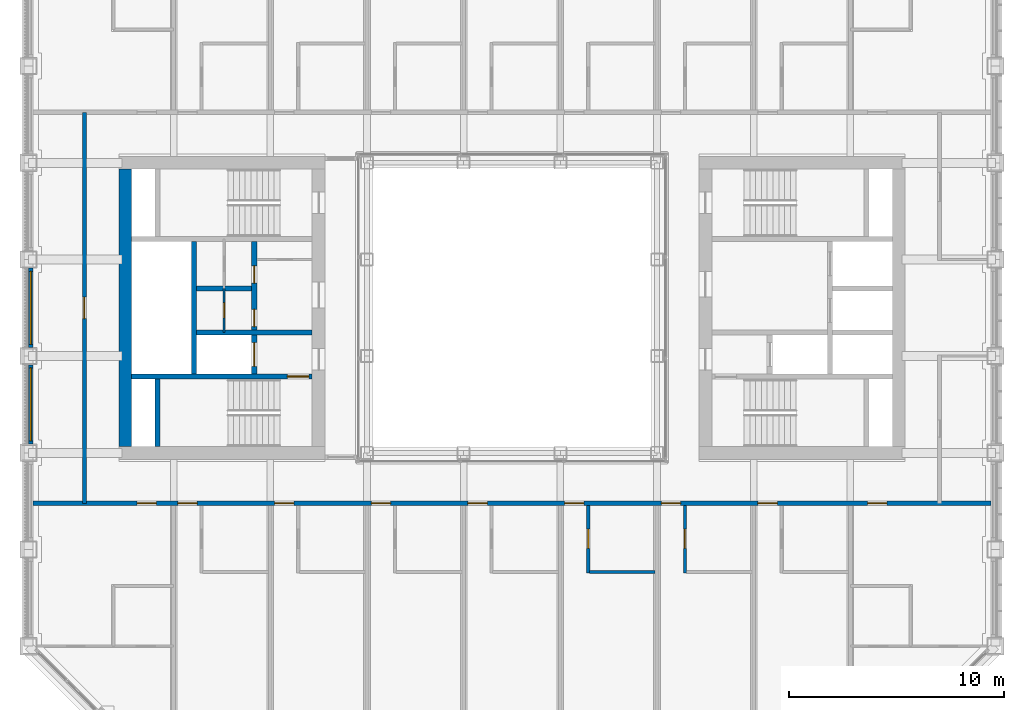
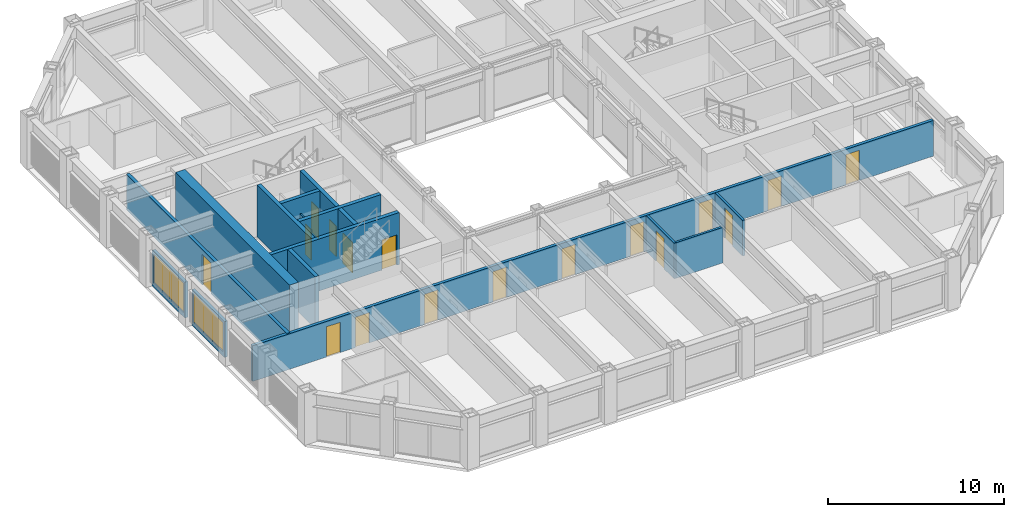
# One storey, part 11 of 18: 17 doors, 15 walls, 2 windows, 19 openings.
"""IFC4 building model written with IfcOpenShell, lengths in metres."""

from ifc_helpers import new_model, si_unit, direction, frame, frame_2d, origin, place, context, subcontext, project, spatial, rectangle, extrude, material, layer, layer_set, type_object, element, fill, save


model = new_model("IFC4")

# Units and contexts
model_context = context("Model", 3, precision=1e-05, world=origin(), true_north=direction((0.0, 1.0)))
body_context = subcontext(model_context, "Body", "Model", "MODEL_VIEW")
ifc_project = project(units=[si_unit("LENGTHUNIT", "METRE"), si_unit("AREAUNIT", "SQUARE_METRE"), si_unit("VOLUMEUNIT", "CUBIC_METRE"), si_unit("PLANEANGLEUNIT", "RADIAN"), si_unit("MASSUNIT", "GRAM", prefix="KILO")], contexts=[model_context])

# Site, building, storey
site_placement = place(None, origin())
site = spatial("IfcSite", under=ifc_project, at=site_placement, CompositionType="ELEMENT")
building_placement = place(site_placement, origin())
building = spatial("IfcBuilding", under=site, at=building_placement, Name="Msasa Ring Tower", CompositionType="ELEMENT")
storey_placement = place(building_placement, frame((0.0, 0.0, 125.60009765625)))
storey = spatial("IfcBuildingStorey", under=building, at=storey_placement, Name="L32", CompositionType="ELEMENT", Elevation=125.60009765625)

# Wall
ifc_material_1 = material(Name="Concrete C60/75", Category="concrete")
ifc_layer_1 = layer(ifc_material_1, 0.60009765625)
ifc_layer_set_1 = layer_set([ifc_layer_1], Name="CW2 CORE WALL 600")
wall_type_1 = type_object("IfcWallType", Name="CW2 CORE WALL 600", PredefinedType="SHEAR", material=ifc_layer_set_1)
wall_1_placement = place(storey_placement, frame((-18.0, -6.449951171875, 0.0), z_axis=(0.0, 0.0, 1.0), x_axis=(0.0, 1.0, 0.0)))
element("IfcWall", 1, at=wall_1_placement, inside=storey, type_object=wall_type_1, Name="W core wall E L32", PredefinedType="SHEAR", context=body_context, shape_type="SweptSolid", body=[
    extrude(rectangle(XDim=12.89990234375, YDim=0.60009765625, at=frame_2d((6.449951171875, 0.0))), origin(), (0.0, 0.0, 1.0), 3.599853515625),
])

# Wall, opening, door
ifc_material_2 = material(Name="Concrete C60/75", Category="concrete")
ifc_layer_2 = layer(ifc_material_2, 0.25)
ifc_layer_set_2 = layer_set([ifc_layer_2], Name="CW4 CORE INNER WALL 250")
wall_type_2 = type_object("IfcWallType", Name="CW4 CORE INNER WALL 250", PredefinedType="SHEAR", material=ifc_layer_set_2)
wall_2_placement = place(storey_placement, frame((-9.300048828125, -3.199951171875, 0.0), z_axis=(0.0, 0.0, 1.0), x_axis=(-1.0, 0.0, 0.0)))
wall_2 = element("IfcWall", 2, at=wall_2_placement, inside=storey, type_object=wall_type_2, Name="W core wall STAIRA L32", PredefinedType="SHEAR", context=body_context, shape_type="SweptSolid", body=[
    extrude(rectangle(XDim=8.39990234375, YDim=0.25, at=frame_2d((4.199951171875, 0.0))), origin(), (0.0, 0.0, 1.0), 3.599853515625),
])
opening_1_placement = place(wall_2_placement, frame((0.14990234375, 0.0, 0.0)))
opening_1 = element("IfcOpeningElement", 3, at=opening_1_placement, cuts=wall_2, Name="Opening HA-035", PredefinedType="OPENING", context=body_context, shape_type="SweptSolid", body=[
    extrude(rectangle(XDim=1.0, YDim=2.10009765625, at=frame_2d((0.5, 1.050048828125))), frame((0.0, 0.135009765625, 0.0), z_axis=(0.0, -1.0, 0.0), x_axis=(1.0, 0.0, 0.0)), (0.0, 0.0, 1.0), 0.27001953125),
])
ifc_material_3 = material(Name="Timber door leaf in a steel frame", Category="steel")
door_type_1 = type_object("IfcDoorType", Name="D6 STAIR DOOR 1000x2100", OperationType="SINGLE_SWING_LEFT", PredefinedType="DOOR", material=ifc_material_3)
door_1_placement = place(opening_1_placement, origin())
door_1 = element("IfcDoor", 4, at=door_1_placement, inside=storey, type_object=door_type_1, Name="Door L32-WSTA", OperationType="SINGLE_SWING_LEFT", OverallHeight=2.10009765625, OverallWidth=1.0, PredefinedType="DOOR", context=body_context, shape_type="SweptSolid", body=[
    extrude(rectangle(XDim=1.0, YDim=2.10009765625, at=frame_2d((0.5, 1.050048828125))), frame((0.0, 0.02490234375, 0.0), z_axis=(0.0, -1.0, 0.0), x_axis=(1.0, 0.0, 0.0)), (0.0, 0.0, 1.0), 0.050048828125),
])
fill(opening_1, door_1)

# Walls
wall_3_placement = place(storey_placement, frame((-16.5, -6.449951171875, 0.0), z_axis=(0.0, 0.0, 1.0), x_axis=(0.0, 1.0, 0.0)))
element("IfcWall", 5, at=wall_3_placement, inside=storey, type_object=wall_type_2, Name="W core wall RISERA L32", PredefinedType="SHEAR", context=body_context, shape_type="SweptSolid", body=[
    extrude(rectangle(XDim=3.125, YDim=0.25, at=frame_2d((1.5625, 0.0))), origin(), (0.0, 0.0, 1.0), 3.599853515625),
])
wall_4_placement = place(storey_placement, frame((-9.300048828125, -1.14990234375, 0.0), z_axis=(0.0, 0.0, 1.0), x_axis=(-1.0, 0.0, 0.0)))
element("IfcWall", 6, at=wall_4_placement, inside=storey, type_object=wall_type_2, Name="W core wall FFL L32", PredefinedType="SHEAR", context=body_context, shape_type="SweptSolid", body=[
    extrude(rectangle(XDim=5.375, YDim=0.25, at=frame_2d((2.6875, 0.0))), origin(), (0.0, 0.0, 1.0), 3.599853515625),
])

# Wall, openings, doors
wall_5_placement = place(storey_placement, frame((-12.0, -3.074951171875, 0.0), z_axis=(0.0, 0.0, 1.0), x_axis=(0.0, 1.0, 0.0)))
wall_5 = element("IfcWall", 7, at=wall_5_placement, inside=storey, type_object=wall_type_2, Name="W core wall LOBBY L32", PredefinedType="SHEAR", context=body_context, shape_type="SweptSolid", body=[
    extrude(rectangle(XDim=6.14990234375, YDim=0.25, at=frame_2d((3.074951171875, 0.0))), origin(), (0.0, 0.0, 1.0), 3.599853515625),
])
opening_2_placement = place(wall_5_placement, frame((2.199951171875, 0.0, 0.0)))
opening_2 = element("IfcOpeningElement", 8, at=opening_2_placement, cuts=wall_5, Name="Opening HA-032", PredefinedType="OPENING", context=body_context, shape_type="SweptSolid", body=[
    extrude(rectangle(XDim=0.800048828125, YDim=2.10009765625, at=frame_2d((0.39990234375, 1.050048828125))), frame((0.0, 0.135009765625, 0.0), z_axis=(0.0, -1.0, 0.0), x_axis=(1.0, 0.0, 0.0)), (0.0, 0.0, 1.0), 0.27001953125),
])
opening_3_placement = place(wall_5_placement, frame((4.22509765625, 0.0, 0.0)))
opening_3 = element("IfcOpeningElement", 9, at=opening_3_placement, cuts=wall_5, Name="Opening HA-027", PredefinedType="OPENING", context=body_context, shape_type="SweptSolid", body=[
    extrude(rectangle(XDim=0.800048828125, YDim=2.10009765625, at=frame_2d((0.39990234375, 1.050048828125))), frame((0.0, 0.135009765625, 0.0), z_axis=(0.0, -1.0, 0.0), x_axis=(1.0, 0.0, 0.0)), (0.0, 0.0, 1.0), 0.27001953125),
])
opening_4_placement = place(wall_5_placement, frame((0.35009765625, 0.0, 0.0)))
opening_4 = element("IfcOpeningElement", 10, at=opening_4_placement, cuts=wall_5, Name="Opening LD1", PredefinedType="OPENING", context=body_context, shape_type="SweptSolid", body=[
    extrude(rectangle(XDim=1.10009765625, YDim=2.10009765625, at=frame_2d((0.550048828125, 1.050048828125))), frame((0.0, 0.135009765625, 0.0), z_axis=(0.0, -1.0, 0.0), x_axis=(1.0, 0.0, 0.0)), (0.0, 0.0, 1.0), 0.27001953125),
])
ifc_material_4 = material(Name="Timber door leaf in a steel frame", Category="steel")
door_type_2 = type_object("IfcDoorType", Name="D9 NARROW SERVICE DOOR 800x2100", OperationType="SINGLE_SWING_LEFT", PredefinedType="DOOR", material=ifc_material_4)
door_2_placement = place(opening_2_placement, origin())
door_2 = element("IfcDoor", 11, at=door_2_placement, inside=storey, type_object=door_type_2, Name="Door L32-WR1", OperationType="SINGLE_SWING_LEFT", OverallHeight=2.10009765625, OverallWidth=0.800048828125, PredefinedType="DOOR", context=body_context, shape_type="SweptSolid", body=[
    extrude(rectangle(XDim=0.800048828125, YDim=2.10009765625, at=frame_2d((0.39990234375, 1.050048828125))), frame((0.0, 0.02490234375, 0.0), z_axis=(0.0, -1.0, 0.0), x_axis=(1.0, 0.0, 0.0)), (0.0, 0.0, 1.0), 0.050048828125),
])
fill(opening_2, door_2)
door_3_placement = place(opening_3_placement, origin())
door_3 = element("IfcDoor", 12, at=door_3_placement, inside=storey, type_object=door_type_2, Name="Door L32-WR2", OperationType="SINGLE_SWING_RIGHT", OverallHeight=2.10009765625, OverallWidth=0.800048828125, PredefinedType="DOOR", context=body_context, shape_type="SweptSolid", body=[
    extrude(rectangle(XDim=0.800048828125, YDim=2.10009765625, at=frame_2d((0.39990234375, 1.050048828125))), frame((0.0, 0.02490234375, 0.0), z_axis=(0.0, -1.0, 0.0), x_axis=(1.0, 0.0, 0.0)), (0.0, 0.0, 1.0), 0.050048828125),
])
fill(opening_3, door_3)
ifc_material_5 = material(Name="Stainless steel lift landing door", Category="steel")
door_type_3 = type_object("IfcDoorType", Name="LD1 LIFT LANDING DOOR 1100x2100", OperationType="DOUBLE_DOOR_SLIDING", PredefinedType="DOOR", material=ifc_material_5)
door_4_placement = place(opening_4_placement, origin())
door_4 = element("IfcDoor", 13, at=door_4_placement, inside=storey, type_object=door_type_3, Name="Lift landing door FL-W L32", OperationType="DOUBLE_DOOR_SLIDING", OverallHeight=2.10009765625, OverallWidth=1.10009765625, PredefinedType="DOOR", context=body_context, shape_type="SweptSolid", body=[
    extrude(rectangle(XDim=1.10009765625, YDim=2.10009765625, at=frame_2d((0.550048828125, 1.050048828125))), frame((0.0, 0.02490234375, 0.0), z_axis=(0.0, -1.0, 0.0), x_axis=(1.0, 0.0, 0.0)), (0.0, 0.0, 1.0), 0.050048828125),
])
fill(opening_4, door_4)

# Walls
wall_6_placement = place(storey_placement, frame((-14.800048828125, -3.074951171875, 0.0), z_axis=(0.0, 0.0, 1.0), x_axis=(0.0, 1.0, 0.0)))
element("IfcWall", 14, at=wall_6_placement, inside=storey, type_object=wall_type_2, Name="W core wall SHAFT L32", PredefinedType="SHEAR", context=body_context, shape_type="SweptSolid", body=[
    extrude(rectangle(XDim=6.14990234375, YDim=0.25, at=frame_2d((3.074951171875, 0.0))), origin(), (0.0, 0.0, 1.0), 3.599853515625),
])
wall_7_placement = place(storey_placement, frame((-12.125, 0.89990234375, 0.0), z_axis=(0.0, 0.0, 1.0), x_axis=(-1.0, 0.0, 0.0)))
element("IfcWall", 15, at=wall_7_placement, inside=storey, type_object=wall_type_2, Name="W core wall LIFT1 L32", PredefinedType="SHEAR", context=body_context, shape_type="SweptSolid", body=[
    extrude(rectangle(XDim=2.550048828125, YDim=0.25, at=frame_2d((1.27490234375, 0.0))), origin(), (0.0, 0.0, 1.0), 3.599853515625),
])

# Wall, opening, window
ifc_material_6 = material(Name="Terracotta rainscreen on blockwork", Category="masonry")
ifc_layer_3 = layer(ifc_material_6, 0.199951171875)
ifc_layer_set_3 = layer_set([ifc_layer_3], Name="FW1 TERRACOTTA-LINED INFILL BAY WALL 200")
wall_type_3 = type_object("IfcWallType", Name="FW1 TERRACOTTA-LINED INFILL BAY WALL 200", PredefinedType="SOLIDWALL", material=ifc_layer_set_3)
wall_8_placement = place(storey_placement, frame((-22.39990234375, -6.344970703125, 0.0), z_axis=(0.0, 0.0, 1.0), x_axis=(0.0, 1.0, 0.0)))
wall_8 = element("IfcWall", 16, at=wall_8_placement, inside=storey, type_object=wall_type_3, Name="Infill bay wall W L32 29", PredefinedType="SOLIDWALL", context=body_context, shape_type="SweptSolid", body=[
    extrude(rectangle(XDim=3.68994140625, YDim=0.199951171875, at=frame_2d((1.844970703125, 0.0))), origin(), (0.0, 0.0, 1.0), 2.47900390625),
])
opening_5_placement = place(wall_8_placement, frame((0.14501953125, 0.0, 0.300048828125)))
opening_5 = element("IfcOpeningElement", 17, at=opening_5_placement, cuts=wall_8, Name="Opening WN2", PredefinedType="OPENING", context=body_context, shape_type="SweptSolid", body=[
    extrude(rectangle(XDim=3.39990234375, YDim=2.029052734375, at=frame_2d((1.699951171875, 1.0146484375))), frame((0.0, 0.10986328125, 0.0), z_axis=(0.0, -1.0, 0.0), x_axis=(1.0, 0.0, 0.0)), (0.0, 0.0, 1.0), 0.219970703125),
])
ifc_material_7 = material(Name="Aluminium frame with clear glass", Category="aluminium")
window_type = type_object("IfcWindowType", Name="WN2 GUEST ROOM WINDOW 3400x2029", PartitioningType="SINGLE_PANEL", PredefinedType="WINDOW", material=ifc_material_7)
window_1_placement = place(opening_5_placement, origin())
window_1 = element("IfcWindow", 18, at=window_1_placement, inside=storey, type_object=window_type, Name="Window W L32 29", OverallHeight=2.029052734375, OverallWidth=3.39990234375, PartitioningType="SINGLE_PANEL", PredefinedType="WINDOW", context=body_context, shape_type="SweptSolid", body=[
    extrude(rectangle(XDim=3.39990234375, YDim=2.029052734375, at=frame_2d((1.699951171875, 1.0146484375))), frame((0.0, 0.030029296875, 0.0), z_axis=(0.0, -1.0, 0.0), x_axis=(1.0, 0.0, 0.0)), (0.0, 0.0, 1.0), 0.06005859375),
])
fill(opening_5, window_1)

wall_9_placement = place(storey_placement, frame((-22.39990234375, -1.844970703125, 0.0), z_axis=(0.0, 0.0, 1.0), x_axis=(0.0, 1.0, 0.0)))
wall_9 = element("IfcWall", 19, at=wall_9_placement, inside=storey, type_object=wall_type_3, Name="Infill bay wall W L32 30", PredefinedType="SOLIDWALL", context=body_context, shape_type="SweptSolid", body=[
    extrude(rectangle(XDim=3.68994140625, YDim=0.199951171875, at=frame_2d((1.844970703125, 0.0))), origin(), (0.0, 0.0, 1.0), 2.47900390625),
])
opening_6_placement = place(wall_9_placement, frame((0.14501953125, 0.0, 0.300048828125)))
opening_6 = element("IfcOpeningElement", 20, at=opening_6_placement, cuts=wall_9, Name="Opening WN2", PredefinedType="OPENING", context=body_context, shape_type="SweptSolid", body=[
    extrude(rectangle(XDim=3.39990234375, YDim=2.029052734375, at=frame_2d((1.699951171875, 1.0146484375))), frame((0.0, 0.10986328125, 0.0), z_axis=(0.0, -1.0, 0.0), x_axis=(1.0, 0.0, 0.0)), (0.0, 0.0, 1.0), 0.219970703125),
])
window_2_placement = place(opening_6_placement, origin())
window_2 = element("IfcWindow", 21, at=window_2_placement, inside=storey, type_object=window_type, Name="Window W L32 30", OverallHeight=2.029052734375, OverallWidth=3.39990234375, PartitioningType="SINGLE_PANEL", PredefinedType="WINDOW", context=body_context, shape_type="SweptSolid", body=[
    extrude(rectangle(XDim=3.39990234375, YDim=2.029052734375, at=frame_2d((1.699951171875, 1.0146484375))), frame((0.0, 0.030029296875, 0.0), z_axis=(0.0, -1.0, 0.0), x_axis=(1.0, 0.0, 0.0)), (0.0, 0.0, 1.0), 0.06005859375),
])
fill(opening_6, window_2)

# Wall, openings, doors
ifc_material_8 = material(Name="Concrete blockwork", Category="masonry")
ifc_layer_4 = layer(ifc_material_8, 0.199951171875)
ifc_layer_set_4 = layer_set([ifc_layer_4], Name="PT1 CORRIDOR WALL 200")
wall_type_4 = type_object("IfcWallType", Name="PT1 CORRIDOR WALL 200", PredefinedType="PARTITIONING", material=ifc_layer_set_4)
wall_10_placement = place(storey_placement, frame((-22.300048828125, -9.10009765625, 0.0), z_axis=(0.0, 0.0, 1.0), x_axis=(1.0, 0.0, 0.0)))
wall_10 = element("IfcWall", 22, at=wall_10_placement, inside=storey, type_object=wall_type_4, Name="Corridor wall L32-CORRS0", PredefinedType="PARTITIONING", context=body_context, shape_type="SweptSolid", body=[
    extrude(rectangle(XDim=44.60009765625, YDim=0.199951171875, at=frame_2d((22.300048828125, 0.0))), origin(), (0.0, 0.0, 1.0), 2.473388671875),
])
opening_7_placement = place(wall_10_placement, frame((6.75, 0.0, 0.0)))
opening_7 = element("IfcOpeningElement", 23, at=opening_7_placement, cuts=wall_10, Name="Opening HA-040", PredefinedType="OPENING", context=body_context, shape_type="SweptSolid", body=[
    extrude(rectangle(XDim=0.89990234375, YDim=2.10009765625, at=frame_2d((0.449951171875, 1.050048828125))), frame((0.0, 0.10986328125, 0.0), z_axis=(0.0, -1.0, 0.0), x_axis=(1.0, 0.0, 0.0)), (0.0, 0.0, 1.0), 0.219970703125),
])
opening_8_placement = place(wall_10_placement, frame((11.25, 0.0, 0.0)))
opening_8 = element("IfcOpeningElement", 24, at=opening_8_placement, cuts=wall_10, Name="Opening HA-041", PredefinedType="OPENING", context=body_context, shape_type="SweptSolid", body=[
    extrude(rectangle(XDim=0.89990234375, YDim=2.10009765625, at=frame_2d((0.449951171875, 1.050048828125))), frame((0.0, 0.10986328125, 0.0), z_axis=(0.0, -1.0, 0.0), x_axis=(1.0, 0.0, 0.0)), (0.0, 0.0, 1.0), 0.219970703125),
])
opening_9_placement = place(wall_10_placement, frame((15.75, 0.0, 0.0)))
opening_9 = element("IfcOpeningElement", 25, at=opening_9_placement, cuts=wall_10, Name="Opening HA-042", PredefinedType="OPENING", context=body_context, shape_type="SweptSolid", body=[
    extrude(rectangle(XDim=0.89990234375, YDim=2.10009765625, at=frame_2d((0.449951171875, 1.050048828125))), frame((0.0, 0.10986328125, 0.0), z_axis=(0.0, -1.0, 0.0), x_axis=(1.0, 0.0, 0.0)), (0.0, 0.0, 1.0), 0.219970703125),
])
opening_10_placement = place(wall_10_placement, frame((20.25, 0.0, 0.0)))
opening_10 = element("IfcOpeningElement", 26, at=opening_10_placement, cuts=wall_10, Name="Opening HA-043", PredefinedType="OPENING", context=body_context, shape_type="SweptSolid", body=[
    extrude(rectangle(XDim=0.89990234375, YDim=2.10009765625, at=frame_2d((0.449951171875, 1.050048828125))), frame((0.0, 0.10986328125, 0.0), z_axis=(0.0, -1.0, 0.0), x_axis=(1.0, 0.0, 0.0)), (0.0, 0.0, 1.0), 0.219970703125),
])
opening_11_placement = place(wall_10_placement, frame((24.75, 0.0, 0.0)))
opening_11 = element("IfcOpeningElement", 27, at=opening_11_placement, cuts=wall_10, Name="Opening HA-044", PredefinedType="OPENING", context=body_context, shape_type="SweptSolid", body=[
    extrude(rectangle(XDim=0.89990234375, YDim=2.10009765625, at=frame_2d((0.449951171875, 1.050048828125))), frame((0.0, 0.10986328125, 0.0), z_axis=(0.0, -1.0, 0.0), x_axis=(1.0, 0.0, 0.0)), (0.0, 0.0, 1.0), 0.219970703125),
])
opening_12_placement = place(wall_10_placement, frame((29.25, 0.0, 0.0)))
opening_12 = element("IfcOpeningElement", 28, at=opening_12_placement, cuts=wall_10, Name="Opening HA-045", PredefinedType="OPENING", context=body_context, shape_type="SweptSolid", body=[
    extrude(rectangle(XDim=0.89990234375, YDim=2.10009765625, at=frame_2d((0.449951171875, 1.050048828125))), frame((0.0, 0.10986328125, 0.0), z_axis=(0.0, -1.0, 0.0), x_axis=(1.0, 0.0, 0.0)), (0.0, 0.0, 1.0), 0.219970703125),
])
opening_13_placement = place(wall_10_placement, frame((33.75, 0.0, 0.0)))
opening_13 = element("IfcOpeningElement", 29, at=opening_13_placement, cuts=wall_10, Name="Opening HA-046", PredefinedType="OPENING", context=body_context, shape_type="SweptSolid", body=[
    extrude(rectangle(XDim=0.89990234375, YDim=2.10009765625, at=frame_2d((0.449951171875, 1.050048828125))), frame((0.0, 0.10986328125, 0.0), z_axis=(0.0, -1.0, 0.0), x_axis=(1.0, 0.0, 0.0)), (0.0, 0.0, 1.0), 0.219970703125),
])
opening_14_placement = place(wall_10_placement, frame((38.85009765625, 0.0, 0.0)))
opening_14 = element("IfcOpeningElement", 30, at=opening_14_placement, cuts=wall_10, Name="Opening HA-047", PredefinedType="OPENING", context=body_context, shape_type="SweptSolid", body=[
    extrude(rectangle(XDim=0.89990234375, YDim=2.10009765625, at=frame_2d((0.449951171875, 1.050048828125))), frame((0.0, 0.10986328125, 0.0), z_axis=(0.0, -1.0, 0.0), x_axis=(1.0, 0.0, 0.0)), (0.0, 0.0, 1.0), 0.219970703125),
])
opening_15_placement = place(wall_10_placement, frame((4.85009765625, 0.0, 0.0)))
opening_15 = element("IfcOpeningElement", 31, at=opening_15_placement, cuts=wall_10, Name="Opening HA-039", PredefinedType="OPENING", context=body_context, shape_type="SweptSolid", body=[
    extrude(rectangle(XDim=0.89990234375, YDim=2.10009765625, at=frame_2d((0.449951171875, 1.050048828125))), frame((0.0, 0.10986328125, 0.0), z_axis=(0.0, -1.0, 0.0), x_axis=(1.0, 0.0, 0.0)), (0.0, 0.0, 1.0), 0.219970703125),
])
ifc_material_9 = material(Name="Timber door leaf in a steel frame", Category="steel")
door_type_4 = type_object("IfcDoorType", Name="D1 SINGLE DOOR TO CORRIDOR 900x2100", OperationType="SINGLE_SWING_LEFT", PredefinedType="DOOR", material=ifc_material_9)
door_5_placement = place(opening_7_placement, origin())
door_5 = element("IfcDoor", 32, at=door_5_placement, inside=storey, type_object=door_type_4, Name="Door L32-GS00", OperationType="SINGLE_SWING_LEFT", OverallHeight=2.10009765625, OverallWidth=0.89990234375, PredefinedType="DOOR", context=body_context, shape_type="SweptSolid", body=[
    extrude(rectangle(XDim=0.89990234375, YDim=2.10009765625, at=frame_2d((0.449951171875, 1.050048828125))), frame((0.0, 0.02490234375, 0.0), z_axis=(0.0, -1.0, 0.0), x_axis=(1.0, 0.0, 0.0)), (0.0, 0.0, 1.0), 0.050048828125),
])
fill(opening_7, door_5)
door_6_placement = place(opening_8_placement, origin())
door_6 = element("IfcDoor", 33, at=door_6_placement, inside=storey, type_object=door_type_4, Name="Door L32-GS01", OperationType="SINGLE_SWING_LEFT", OverallHeight=2.10009765625, OverallWidth=0.89990234375, PredefinedType="DOOR", context=body_context, shape_type="SweptSolid", body=[
    extrude(rectangle(XDim=0.89990234375, YDim=2.10009765625, at=frame_2d((0.449951171875, 1.050048828125))), frame((0.0, 0.02490234375, 0.0), z_axis=(0.0, -1.0, 0.0), x_axis=(1.0, 0.0, 0.0)), (0.0, 0.0, 1.0), 0.050048828125),
])
fill(opening_8, door_6)
door_7_placement = place(opening_9_placement, origin())
door_7 = element("IfcDoor", 34, at=door_7_placement, inside=storey, type_object=door_type_4, Name="Door L32-GS02", OperationType="SINGLE_SWING_LEFT", OverallHeight=2.10009765625, OverallWidth=0.89990234375, PredefinedType="DOOR", context=body_context, shape_type="SweptSolid", body=[
    extrude(rectangle(XDim=0.89990234375, YDim=2.10009765625, at=frame_2d((0.449951171875, 1.050048828125))), frame((0.0, 0.02490234375, 0.0), z_axis=(0.0, -1.0, 0.0), x_axis=(1.0, 0.0, 0.0)), (0.0, 0.0, 1.0), 0.050048828125),
])
fill(opening_9, door_7)
door_8_placement = place(opening_10_placement, origin())
door_8 = element("IfcDoor", 35, at=door_8_placement, inside=storey, type_object=door_type_4, Name="Door L32-GS03", OperationType="SINGLE_SWING_LEFT", OverallHeight=2.10009765625, OverallWidth=0.89990234375, PredefinedType="DOOR", context=body_context, shape_type="SweptSolid", body=[
    extrude(rectangle(XDim=0.89990234375, YDim=2.10009765625, at=frame_2d((0.449951171875, 1.050048828125))), frame((0.0, 0.02490234375, 0.0), z_axis=(0.0, -1.0, 0.0), x_axis=(1.0, 0.0, 0.0)), (0.0, 0.0, 1.0), 0.050048828125),
])
fill(opening_10, door_8)
door_9_placement = place(opening_11_placement, origin())
door_9 = element("IfcDoor", 36, at=door_9_placement, inside=storey, type_object=door_type_4, Name="Door L32-GS04", OperationType="SINGLE_SWING_RIGHT", OverallHeight=2.10009765625, OverallWidth=0.89990234375, PredefinedType="DOOR", context=body_context, shape_type="SweptSolid", body=[
    extrude(rectangle(XDim=0.89990234375, YDim=2.10009765625, at=frame_2d((0.449951171875, 1.050048828125))), frame((0.0, 0.02490234375, 0.0), z_axis=(0.0, -1.0, 0.0), x_axis=(1.0, 0.0, 0.0)), (0.0, 0.0, 1.0), 0.050048828125),
])
fill(opening_11, door_9)
door_10_placement = place(opening_12_placement, origin())
door_10 = element("IfcDoor", 37, at=door_10_placement, inside=storey, type_object=door_type_4, Name="Door L32-GS05", OperationType="SINGLE_SWING_RIGHT", OverallHeight=2.10009765625, OverallWidth=0.89990234375, PredefinedType="DOOR", context=body_context, shape_type="SweptSolid", body=[
    extrude(rectangle(XDim=0.89990234375, YDim=2.10009765625, at=frame_2d((0.449951171875, 1.050048828125))), frame((0.0, 0.02490234375, 0.0), z_axis=(0.0, -1.0, 0.0), x_axis=(1.0, 0.0, 0.0)), (0.0, 0.0, 1.0), 0.050048828125),
])
fill(opening_12, door_10)
door_11_placement = place(opening_13_placement, origin())
door_11 = element("IfcDoor", 38, at=door_11_placement, inside=storey, type_object=door_type_4, Name="Door L32-GS06", OperationType="SINGLE_SWING_RIGHT", OverallHeight=2.10009765625, OverallWidth=0.89990234375, PredefinedType="DOOR", context=body_context, shape_type="SweptSolid", body=[
    extrude(rectangle(XDim=0.89990234375, YDim=2.10009765625, at=frame_2d((0.449951171875, 1.050048828125))), frame((0.0, 0.02490234375, 0.0), z_axis=(0.0, -1.0, 0.0), x_axis=(1.0, 0.0, 0.0)), (0.0, 0.0, 1.0), 0.050048828125),
])
fill(opening_13, door_11)
ifc_material_10 = material(Name="Timber door leaf in a steel frame", Category="steel")
door_type_5 = type_object("IfcDoorType", Name="D2 ENTRANCE DOOR 900x2100", OperationType="SINGLE_SWING_LEFT", PredefinedType="DOOR", material=ifc_material_10)
door_12_placement = place(opening_14_placement, origin())
door_12 = element("IfcDoor", 39, at=door_12_placement, inside=storey, type_object=door_type_5, Name="Door L32-CSSE", OperationType="SINGLE_SWING_RIGHT", OverallHeight=2.10009765625, OverallWidth=0.89990234375, PredefinedType="DOOR", context=body_context, shape_type="SweptSolid", body=[
    extrude(rectangle(XDim=0.89990234375, YDim=2.10009765625, at=frame_2d((0.449951171875, 1.050048828125))), frame((0.0, 0.02490234375, 0.0), z_axis=(0.0, -1.0, 0.0), x_axis=(1.0, 0.0, 0.0)), (0.0, 0.0, 1.0), 0.050048828125),
])
fill(opening_14, door_12)
door_13_placement = place(opening_15_placement, origin())
door_13 = element("IfcDoor", 40, at=door_13_placement, inside=storey, type_object=door_type_5, Name="Door L32-CSSW", OperationType="SINGLE_SWING_LEFT", OverallHeight=2.10009765625, OverallWidth=0.89990234375, PredefinedType="DOOR", context=body_context, shape_type="SweptSolid", body=[
    extrude(rectangle(XDim=0.89990234375, YDim=2.10009765625, at=frame_2d((0.449951171875, 1.050048828125))), frame((0.0, 0.02490234375, 0.0), z_axis=(0.0, -1.0, 0.0), x_axis=(1.0, 0.0, 0.0)), (0.0, 0.0, 1.0), 0.050048828125),
])
fill(opening_15, door_13)

# Wall, opening, door
wall_11_placement = place(storey_placement, frame((-19.89990234375, -9.10009765625, 0.0), z_axis=(0.0, 0.0, 1.0), x_axis=(0.0, 1.0, 0.0)))
wall_11 = element("IfcWall", 41, at=wall_11_placement, inside=storey, type_object=wall_type_4, Name="Corridor wall L32-STRW", PredefinedType="PARTITIONING", context=body_context, shape_type="SweptSolid", body=[
    extrude(rectangle(XDim=18.2001953125, YDim=0.199951171875, at=frame_2d((9.10009765625, 0.0))), origin(), (0.0, 0.0, 1.0), 2.473388671875),
])
opening_16_placement = place(wall_11_placement, frame((8.60009765625, 0.0, 0.0)))
opening_16 = element("IfcOpeningElement", 42, at=opening_16_placement, cuts=wall_11, Name="Opening HA-030", PredefinedType="OPENING", context=body_context, shape_type="SweptSolid", body=[
    extrude(rectangle(XDim=1.0, YDim=2.10009765625, at=frame_2d((0.5, 1.050048828125))), frame((0.0, 0.10986328125, 0.0), z_axis=(0.0, -1.0, 0.0), x_axis=(1.0, 0.0, 0.0)), (0.0, 0.0, 1.0), 0.219970703125),
])
ifc_material_11 = material(Name="Timber door leaf in a steel frame", Category="steel")
door_type_6 = type_object("IfcDoorType", Name="D10 STORE DOOR 1000x2100", OperationType="SINGLE_SWING_LEFT", PredefinedType="DOOR", material=ifc_material_11)
door_14_placement = place(opening_16_placement, origin())
door_14 = element("IfcDoor", 43, at=door_14_placement, inside=storey, type_object=door_type_6, Name="Door L32-LGW", OperationType="SINGLE_SWING_LEFT", OverallHeight=2.10009765625, OverallWidth=1.0, PredefinedType="DOOR", context=body_context, shape_type="SweptSolid", body=[
    extrude(rectangle(XDim=1.0, YDim=2.10009765625, at=frame_2d((0.5, 1.050048828125))), frame((0.0, 0.02490234375, 0.0), z_axis=(0.0, -1.0, 0.0), x_axis=(1.0, 0.0, 0.0)), (0.0, 0.0, 1.0), 0.050048828125),
])
fill(opening_16, door_14)

ifc_material_12 = material(Name="Gypsum board on steel studs", Category="steel")
ifc_layer_5 = layer(ifc_material_12, 0.10009765625)
ifc_layer_set_5 = layer_set([ifc_layer_5], Name="PT2 STUD PARTITION 100")
wall_type_5 = type_object("IfcWallType", Name="PT2 STUD PARTITION 100", PredefinedType="PARTITIONING", material=ifc_layer_set_5)
wall_12_placement = place(storey_placement, frame((-13.39990234375, -1.14990234375, 0.0), z_axis=(0.0, 0.0, 1.0), x_axis=(0.0, 1.0, 0.0)))
wall_12 = element("IfcWall", 44, at=wall_12_placement, inside=storey, type_object=wall_type_5, Name="Partition L32-WRP1", PredefinedType="PARTITIONING", context=body_context, shape_type="SweptSolid", body=[
    extrude(rectangle(XDim=2.0498046875, YDim=0.10009765625, at=frame_2d((1.02490234375, 0.0))), origin(), (0.0, 0.0, 1.0), 2.473388671875),
])
opening_17_placement = place(wall_12_placement, frame((0.675048828125, 0.0, 0.0)))
opening_17 = element("IfcOpeningElement", 45, at=opening_17_placement, cuts=wall_12, Name="Opening HA-031", PredefinedType="OPENING", context=body_context, shape_type="SweptSolid", body=[
    extrude(rectangle(XDim=0.699951171875, YDim=2.10009765625, at=frame_2d((0.35009765625, 1.050048828125))), frame((0.0, 0.06005859375, 0.0), z_axis=(0.0, -1.0, 0.0), x_axis=(1.0, 0.0, 0.0)), (0.0, 0.0, 1.0), 0.1201171875),
])
ifc_material_13 = material(Name="Timber door leaf in a steel frame", Category="steel")
door_type_7 = type_object("IfcDoorType", Name="D32 INTERNAL NARROW STORE DOOR 700x2100", OperationType="SINGLE_SWING_LEFT", PredefinedType="DOOR", material=ifc_material_13)
door_15_placement = place(opening_17_placement, origin())
door_15 = element("IfcDoor", 46, at=door_15_placement, inside=storey, type_object=door_type_7, Name="Door L32-WRC1", OperationType="SINGLE_SWING_LEFT", OverallHeight=2.10009765625, OverallWidth=0.699951171875, PredefinedType="DOOR", context=body_context, shape_type="SweptSolid", body=[
    extrude(rectangle(XDim=0.699951171875, YDim=2.10009765625, at=frame_2d((0.35009765625, 1.050048828125))), frame((0.0, 0.02490234375, 0.0), z_axis=(0.0, -1.0, 0.0), x_axis=(1.0, 0.0, 0.0)), (0.0, 0.0, 1.0), 0.050048828125),
])
fill(opening_17, door_15)

ifc_material_14 = material(Name="Moisture-resistant board on steel studs with a concealed cistern and pipe void, tiled", Category="steel")
ifc_layer_6 = layer(ifc_material_14, 0.14990234375)
ifc_layer_set_6 = layer_set([ifc_layer_6], Name="PT4 BATHROOM WET WALL 150")
wall_type_6 = type_object("IfcWallType", Name="PT4 BATHROOM WET WALL 150", PredefinedType="PARTITIONING", material=ifc_layer_set_6)
wall_13_placement = place(storey_placement, frame((3.550048828125, -12.35009765625, 0.0), z_axis=(0.0, 0.0, 1.0), x_axis=(0.0, 1.0, 0.0)))
wall_13 = element("IfcWall", 47, at=wall_13_placement, inside=storey, type_object=wall_type_6, Name="Partition L32-GS04BX", PredefinedType="PARTITIONING", context=body_context, shape_type="SweptSolid", body=[
    extrude(rectangle(XDim=3.150146484375, YDim=0.14990234375, at=frame_2d((1.5751953125, 0.0))), origin(), (0.0, 0.0, 1.0), 2.473388671875),
])
opening_18_placement = place(wall_13_placement, frame((1.14990234375, 0.0, 0.0)))
opening_18 = element("IfcOpeningElement", 48, at=opening_18_placement, cuts=wall_13, Name="Opening HA-052", PredefinedType="OPENING", context=body_context, shape_type="SweptSolid", body=[
    extrude(rectangle(XDim=0.89990234375, YDim=2.10009765625, at=frame_2d((0.449951171875, 1.050048828125))), frame((0.0, 0.0849609375, 0.0), z_axis=(0.0, -1.0, 0.0), x_axis=(1.0, 0.0, 0.0)), (0.0, 0.0, 1.0), 0.169921875),
])
ifc_material_15 = material(Name="Timber door leaf in a steel frame", Category="steel")
door_type_8 = type_object("IfcDoorType", Name="D3 BATHROOM DOOR 900x2100", OperationType="SINGLE_SWING_LEFT", PredefinedType="DOOR", material=ifc_material_15)
door_16_placement = place(opening_18_placement, origin())
door_16 = element("IfcDoor", 49, at=door_16_placement, inside=storey, type_object=door_type_8, Name="Door L32-GS04B", OperationType="SINGLE_SWING_LEFT", OverallHeight=2.10009765625, OverallWidth=0.89990234375, PredefinedType="DOOR", context=body_context, shape_type="SweptSolid", body=[
    extrude(rectangle(XDim=0.89990234375, YDim=2.10009765625, at=frame_2d((0.449951171875, 1.050048828125))), frame((0.0, 0.02490234375, 0.0), z_axis=(0.0, -1.0, 0.0), x_axis=(1.0, 0.0, 0.0)), (0.0, 0.0, 1.0), 0.050048828125),
])
fill(opening_18, door_16)

# Wall
wall_14_placement = place(storey_placement, frame((3.60009765625, -12.300048828125, 0.0), z_axis=(0.0, 0.0, 1.0), x_axis=(1.0, 0.0, 0.0)))
element("IfcWall", 50, at=wall_14_placement, inside=storey, type_object=wall_type_6, Name="Partition L32-GS04BY", PredefinedType="PARTITIONING", context=body_context, shape_type="SweptSolid", body=[
    extrude(rectangle(XDim=3.0625, YDim=0.14990234375, at=frame_2d((1.53125, 0.0))), origin(), (0.0, 0.0, 1.0), 2.473388671875),
])

# Wall, opening, door
wall_15_placement = place(storey_placement, frame((8.050048828125, -12.35009765625, 0.0), z_axis=(0.0, 0.0, 1.0), x_axis=(0.0, 1.0, 0.0)))
wall_15 = element("IfcWall", 51, at=wall_15_placement, inside=storey, type_object=wall_type_6, Name="Partition L32-GS05BX", PredefinedType="PARTITIONING", context=body_context, shape_type="SweptSolid", body=[
    extrude(rectangle(XDim=3.150146484375, YDim=0.14990234375, at=frame_2d((1.5751953125, 0.0))), origin(), (0.0, 0.0, 1.0), 2.473388671875),
])
opening_19_placement = place(wall_15_placement, frame((1.14990234375, 0.0, 0.0)))
opening_19 = element("IfcOpeningElement", 52, at=opening_19_placement, cuts=wall_15, Name="Opening HA-053", PredefinedType="OPENING", context=body_context, shape_type="SweptSolid", body=[
    extrude(rectangle(XDim=0.89990234375, YDim=2.10009765625, at=frame_2d((0.449951171875, 1.050048828125))), frame((0.0, 0.0849609375, 0.0), z_axis=(0.0, -1.0, 0.0), x_axis=(1.0, 0.0, 0.0)), (0.0, 0.0, 1.0), 0.169921875),
])
door_17_placement = place(opening_19_placement, origin())
door_17 = element("IfcDoor", 53, at=door_17_placement, inside=storey, type_object=door_type_8, Name="Door L32-GS05B", OperationType="SINGLE_SWING_LEFT", OverallHeight=2.10009765625, OverallWidth=0.89990234375, PredefinedType="DOOR", context=body_context, shape_type="SweptSolid", body=[
    extrude(rectangle(XDim=0.89990234375, YDim=2.10009765625, at=frame_2d((0.449951171875, 1.050048828125))), frame((0.0, 0.02490234375, 0.0), z_axis=(0.0, -1.0, 0.0), x_axis=(1.0, 0.0, 0.0)), (0.0, 0.0, 1.0), 0.050048828125),
])
fill(opening_19, door_17)

save(model, "model.ifc")
